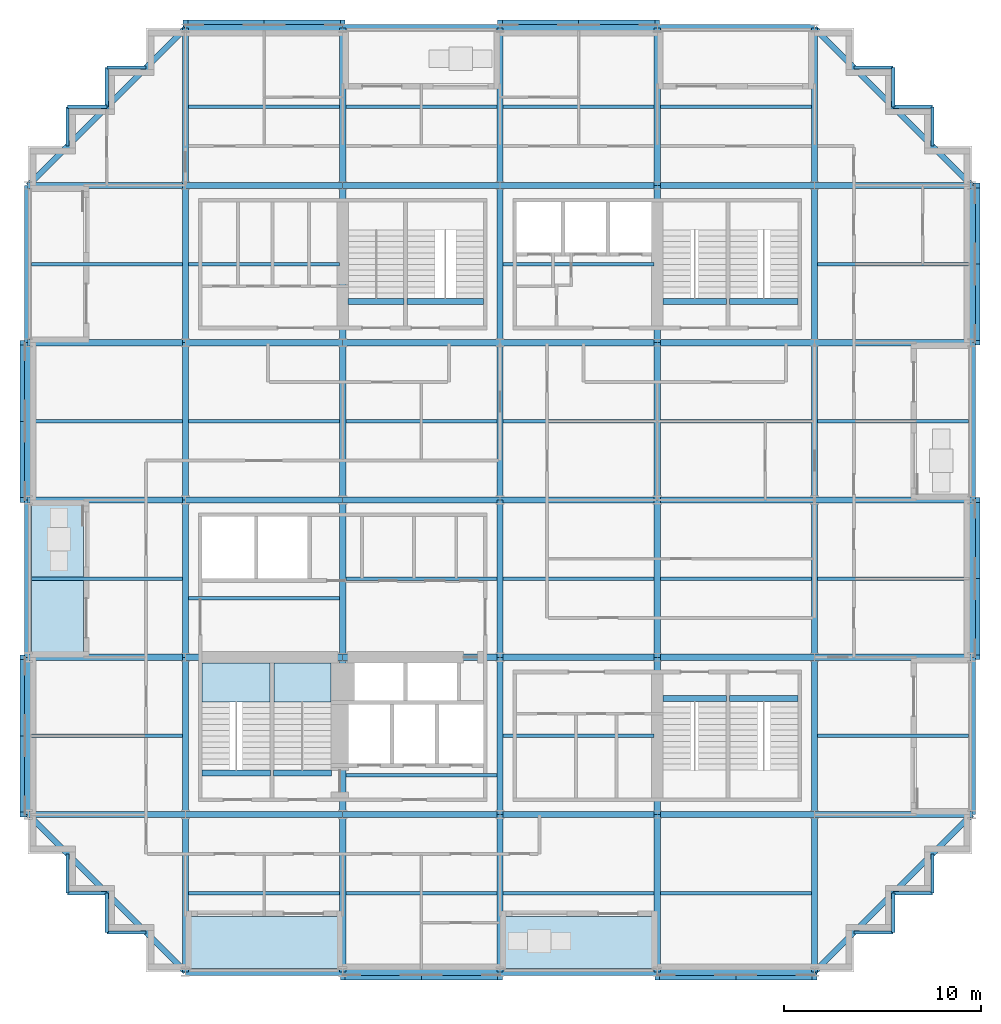
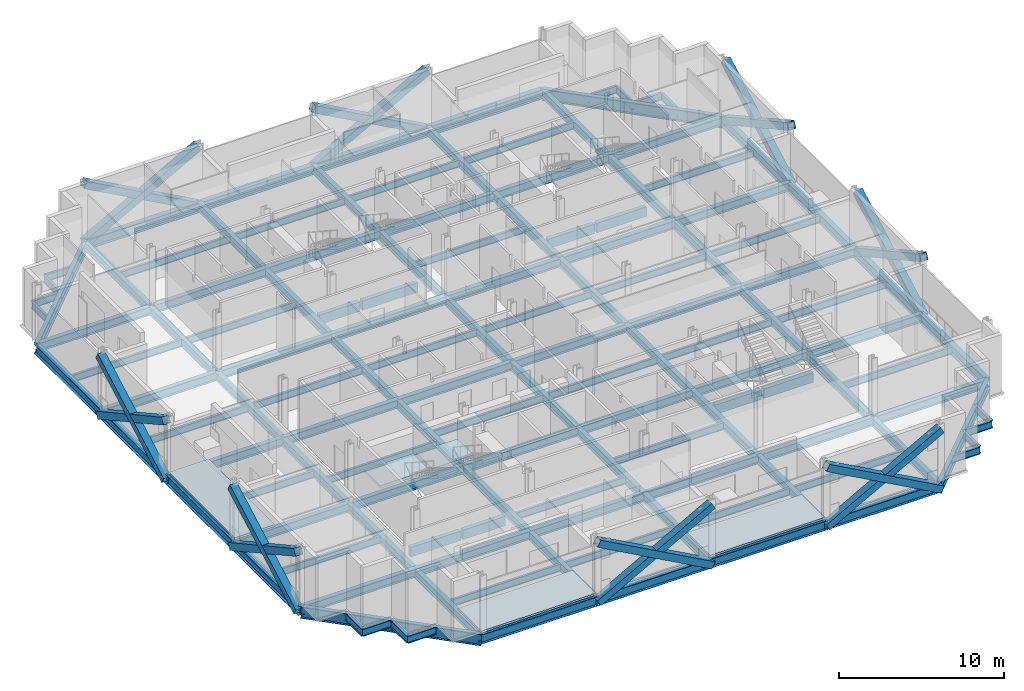
# One storey, part 3 of 15: 132 beams, 16 members, 5 slabs, 2 elements without a shape of their own.
"""IFC4 building model written with IfcOpenShell, lengths in metres."""

from ifc_helpers import new_model, si_unit, direction, frame, origin, origin_2d, place, context, subcontext, project, spatial, polyline, rectangle, hollow_rectangle, i_section, outline, extrude, material, layer, layer_set, material_profile, profile_set, type_object, element, aggregate, save


model = new_model("IFC4")

# Units and contexts
model_context = context("Model", 3, precision=1e-05, world=origin(), true_north=direction((0.0, 1.0)))
body_context = subcontext(model_context, "Body", "Model", "MODEL_VIEW")
ifc_project = project(units=[si_unit("LENGTHUNIT", "METRE"), si_unit("AREAUNIT", "SQUARE_METRE"), si_unit("VOLUMEUNIT", "CUBIC_METRE"), si_unit("PLANEANGLEUNIT", "RADIAN"), si_unit("MASSUNIT", "GRAM", prefix="KILO")], contexts=[model_context])

# Site, building, storey
site_placement = place(None, origin())
site = spatial("IfcSite", under=ifc_project, at=site_placement, CompositionType="ELEMENT")
building_placement = place(site_placement, origin())
building = spatial("IfcBuilding", under=site, at=building_placement, Name="Immortelle Media Tower", CompositionType="ELEMENT")
storey_placement = place(building_placement, frame((0.0, 0.0, 61.199951171875)))
storey = spatial("IfcBuildingStorey", under=building, at=storey_placement, Name="L10", CompositionType="ELEMENT", Elevation=61.199951171875)

# Members
ifc_material_1 = material(Name="Steel ASTM A500 Gr C", Category="steel")
ifc_material_profile_1 = material_profile(ifc_material_1, hollow_rectangle(XDim=0.508056640625, YDim=0.508056640625, WallThickness=0.011962890625, at=origin_2d()), Name="HSS20x20x1/2 brace")
ifc_profile_set_1 = profile_set([ifc_material_profile_1], Name="Steel ASTM A500 Gr C")
member_type = type_object("IfcMemberType", Name="HSS20x20x1/2 brace", PredefinedType="BRACE", material=ifc_profile_set_1)
for number, where, z_axis, x_axis, name in (
    (1, (-0.1640625, 32.0, -0.498046875), (0.0, -0.876141381581, 0.482054228776), (1.0, 0.0, 0.0), "Brace 1/D-E A"),
    (2, (-0.1640625, 32.0, 3.903564453125), (0.0, -0.876141381581, -0.482054228776), (1.0, 0.0, 0.0), "Brace 1/D-E B"),
    (3, (-0.1640625, 16.0, -0.498046875), (0.0, -0.876141381581, 0.482054228776), (1.0, 0.0, 0.0), "Brace 1/B-C A"),
    (4, (-0.1640625, 16.0, 3.903564453125), (0.0, -0.876141381581, -0.482054228776), (1.0, 0.0, 0.0), "Brace 1/B-C B"),
    (5, (16.0, -0.1640625, -0.498046875), (0.876141381581, 0.0, 0.482054228776), (0.0, 1.0, 0.0), "Brace A/3-4 A"),
    (6, (16.0, -0.1640625, 3.903564453125), (0.876141381581, 0.0, -0.482054228776), (0.0, 1.0, 0.0), "Brace A/3-4 B"),
    (7, (32.0, -0.1640625, -0.498046875), (0.876141381581, 0.0, 0.482054228776), (0.0, 1.0, 0.0), "Brace A/5-6 A"),
    (8, (32.0, -0.1640625, 3.903564453125), (0.876141381581, 0.0, -0.482054228776), (0.0, 1.0, 0.0), "Brace A/5-6 B"),
    (9, (48.1640625, 16.0, -0.498046875), (0.0, 0.876141381581, 0.482054228776), (-1.0, 0.0, 0.0), "Brace 7/C-D A"),
    (10, (48.1640625, 16.0, 3.903564453125), (0.0, 0.876141381581, -0.482054228776), (-1.0, 0.0, 0.0), "Brace 7/C-D B"),
    (11, (48.1640625, 32.0, -0.498046875), (0.0, 0.876141381581, 0.482054228776), (-1.0, 0.0, 0.0), "Brace 7/E-F A"),
    (12, (48.1640625, 32.0, 3.903564453125), (0.0, 0.876141381581, -0.482054228776), (-1.0, 0.0, 0.0), "Brace 7/E-F B"),
    (13, (32.0, 48.1640625, -0.498046875), (-0.876141381581, 0.0, 0.482054228776), (0.0, -1.0, 0.0), "Brace G/4-5 A"),
    (14, (32.0, 48.1640625, 3.903564453125), (-0.876141381581, 0.0, -0.482054228776), (0.0, -1.0, 0.0), "Brace G/4-5 B"),
    (15, (16.0, 48.1640625, -0.498046875), (-0.876141381581, 0.0, 0.482054228776), (0.0, -1.0, 0.0), "Brace G/2-3 A"),
    (16, (16.0, 48.1640625, 3.903564453125), (-0.876141381581, 0.0, -0.482054228776), (0.0, -1.0, 0.0), "Brace G/2-3 B"),
):
    element("IfcMember", number, at=place(storey_placement, frame(where, z_axis=z_axis, x_axis=x_axis)), inside=storey, type_object=member_type, Name=name, PredefinedType="BRACE", context=body_context, shape_type="SweptSolid", body=[
        extrude(hollow_rectangle(XDim=0.508056640625, YDim=0.508056640625, WallThickness=0.011962890625, at=origin_2d()), origin(), (0.0, 0.0, 1.0), 9.130859375),
    ])

# Beams
ifc_material_2 = material(Name="Concrete C50/60", Category="concrete")
ifc_material_profile_2 = material_profile(ifc_material_2, rectangle(XDim=0.300048828125, YDim=0.699951171875, at=origin_2d()), Name="RC 300x700")
ifc_profile_set_2 = profile_set([ifc_material_profile_2], Name="Concrete C50/60")
beam_type_1 = type_object("IfcBeamType", Name="Stair trimmer beam 300 x 700", PredefinedType="BEAM", material=ifc_profile_set_2)
beam_1_placement = place(storey_placement, frame((8.830078125, 10.10498046875, -0.5), z_axis=(1.0, 0.0, 0.0), x_axis=(0.0, 1.0, 0.0)))
element("IfcBeam", 17, at=beam_1_placement, inside=storey, type_object=beam_type_1, Name="Stair trimmer beam SW1", PredefinedType="BEAM", context=body_context, shape_type="SweptSolid", body=[
    extrude(rectangle(XDim=0.300048828125, YDim=0.699951171875, at=origin_2d()), origin(), (0.0, 0.0, 1.0), 3.489990234375),
])
beam_2_placement = place(storey_placement, frame((12.47998046875, 10.10498046875, -0.5), z_axis=(1.0, 0.0, 0.0), x_axis=(0.0, 1.0, 0.0)))
element("IfcBeam", 18, at=beam_2_placement, inside=storey, type_object=beam_type_1, Name="Stair trimmer beam SW2", PredefinedType="BEAM", context=body_context, shape_type="SweptSolid", body=[
    extrude(rectangle(XDim=0.300048828125, YDim=0.699951171875, at=origin_2d()), origin(), (0.0, 0.0, 1.0), 2.93994140625),
])
beam_3_placement = place(storey_placement, frame((32.280029296875, 13.89501953125, -0.5), z_axis=(1.0, 0.0, 0.0), x_axis=(0.0, 1.0, 0.0)))
element("IfcBeam", 19, at=beam_3_placement, inside=storey, type_object=beam_type_1, Name="Stair trimmer beam SE1", PredefinedType="BEAM", context=body_context, shape_type="SweptSolid", body=[
    extrude(rectangle(XDim=0.300048828125, YDim=0.699951171875, at=origin_2d()), origin(), (0.0, 0.0, 1.0), 3.239990234375),
])
beam_4_placement = place(storey_placement, frame((35.679931640625, 13.89501953125, -0.5), z_axis=(1.0, 0.0, 0.0), x_axis=(0.0, 1.0, 0.0)))
element("IfcBeam", 20, at=beam_4_placement, inside=storey, type_object=beam_type_1, Name="Stair trimmer beam SE2", PredefinedType="BEAM", context=body_context, shape_type="SweptSolid", body=[
    extrude(rectangle(XDim=0.300048828125, YDim=0.699951171875, at=origin_2d()), origin(), (0.0, 0.0, 1.0), 3.489990234375),
])
beam_5_placement = place(storey_placement, frame((16.280029296875, 34.10498046875, -0.5), z_axis=(1.0, 0.0, 0.0), x_axis=(0.0, 1.0, 0.0)))
element("IfcBeam", 21, at=beam_5_placement, inside=storey, type_object=beam_type_1, Name="Stair trimmer beam NW1", PredefinedType="BEAM", context=body_context, shape_type="SweptSolid", body=[
    extrude(rectangle(XDim=0.300048828125, YDim=0.699951171875, at=origin_2d()), origin(), (0.0, 0.0, 1.0), 2.840087890625),
])
beam_6_placement = place(storey_placement, frame((19.280029296875, 34.10498046875, -0.5), z_axis=(1.0, 0.0, 0.0), x_axis=(0.0, 1.0, 0.0)))
element("IfcBeam", 22, at=beam_6_placement, inside=storey, type_object=beam_type_1, Name="Stair trimmer beam NW2", PredefinedType="BEAM", context=body_context, shape_type="SweptSolid", body=[
    extrude(rectangle(XDim=0.300048828125, YDim=0.699951171875, at=origin_2d()), origin(), (0.0, 0.0, 1.0), 3.889892578125),
])
beam_7_placement = place(storey_placement, frame((32.280029296875, 34.10498046875, -0.5), z_axis=(1.0, 0.0, 0.0), x_axis=(0.0, 1.0, 0.0)))
element("IfcBeam", 23, at=beam_7_placement, inside=storey, type_object=beam_type_1, Name="Stair trimmer beam NE1", PredefinedType="BEAM", context=body_context, shape_type="SweptSolid", body=[
    extrude(rectangle(XDim=0.300048828125, YDim=0.699951171875, at=origin_2d()), origin(), (0.0, 0.0, 1.0), 3.239990234375),
])
beam_8_placement = place(storey_placement, frame((35.679931640625, 34.10498046875, -0.5), z_axis=(1.0, 0.0, 0.0), x_axis=(0.0, 1.0, 0.0)))
element("IfcBeam", 24, at=beam_8_placement, inside=storey, type_object=beam_type_1, Name="Stair trimmer beam NE2", PredefinedType="BEAM", context=body_context, shape_type="SweptSolid", body=[
    extrude(rectangle(XDim=0.300048828125, YDim=0.699951171875, at=origin_2d()), origin(), (0.0, 0.0, 1.0), 3.489990234375),
])
ifc_material_3 = material(Name="Steel ASTM A992 Gr 50", Category="steel")
ifc_material_profile_3 = material_profile(ifc_material_3, i_section(OverallWidth=0.1669921875, OverallDepth=0.535888671875, WebThickness=0.010009765625, FlangeThickness=0.01708984375, at=origin_2d()), Name="W21x57")
ifc_profile_set_3 = profile_set([ifc_material_profile_3], Name="Steel ASTM A992 Gr 50")
beam_type_2 = type_object("IfcBeamType", Name="W21x57 secondary beam", PredefinedType="JOIST", material=ifc_profile_set_3)
for number, where, z_axis, x_axis, name in (
    (25, (8.162109375, 4.0, -0.41796875), (1.0, 0.0, 0.0), (0.0, 1.0, 0.0), "Beam A-B/2-3"),
    (26, (16.162109375, 4.0, -0.41796875), (1.0, 0.0, 0.0), (0.0, 1.0, 0.0), "Beam A-B/3-4"),
    (27, (24.162109375, 4.0, -0.41796875), (1.0, 0.0, 0.0), (0.0, 1.0, 0.0), "Beam A-B/4-5"),
    (28, (32.162109375, 4.0, -0.41796875), (1.0, 0.0, 0.0), (0.0, 1.0, 0.0), "Beam A-B/5-6"),
):
    element("IfcBeam", number, at=place(storey_placement, frame(where, z_axis=z_axis, x_axis=x_axis)), inside=storey, type_object=beam_type_2, Name=name, PredefinedType="JOIST", context=body_context, shape_type="SweptSolid", body=[
        extrude(i_section(OverallWidth=0.1669921875, OverallDepth=0.535888671875, WebThickness=0.010009765625, FlangeThickness=0.01708984375, at=origin_2d()), origin(), (0.0, 0.0, 1.0), 7.67578125),
    ])
beam_9_placement = place(storey_placement, frame((0.177978515625, 12.0, -0.41796875), z_axis=(1.0, 0.0, 0.0), x_axis=(0.0, 1.0, 0.0)))
element("IfcBeam", 29, at=beam_9_placement, inside=storey, type_object=beam_type_2, Name="Beam B-C/1-2", PredefinedType="JOIST", context=body_context, shape_type="SweptSolid", body=[
    extrude(i_section(OverallWidth=0.1669921875, OverallDepth=0.535888671875, WebThickness=0.010009765625, FlangeThickness=0.01708984375, at=origin_2d()), origin(), (0.0, 0.0, 1.0), 7.659912109375),
])
for number, where, z_axis, x_axis, name in (
    (30, (16.162109375, 10.0, -0.41796875), (1.0, 0.0, 0.0), (0.0, 1.0, 0.0), "Beam B-C/3-4"),
    (31, (24.162109375, 12.0, -0.41796875), (1.0, 0.0, 0.0), (0.0, 1.0, 0.0), "Beam B-C/4-5"),
):
    element("IfcBeam", number, at=place(storey_placement, frame(where, z_axis=z_axis, x_axis=x_axis)), inside=storey, type_object=beam_type_2, Name=name, PredefinedType="JOIST", context=body_context, shape_type="SweptSolid", body=[
        extrude(i_section(OverallWidth=0.1669921875, OverallDepth=0.535888671875, WebThickness=0.010009765625, FlangeThickness=0.01708984375, at=origin_2d()), origin(), (0.0, 0.0, 1.0), 7.67578125),
    ])
for number, where, z_axis, x_axis, name in (
    (32, (40.162109375, 12.0, -0.41796875), (1.0, 0.0, 0.0), (0.0, 1.0, 0.0), "Beam B-C/6-7"),
    (33, (0.177978515625, 20.0, -0.41796875), (1.0, 0.0, 0.0), (0.0, 1.0, 0.0), "Beam C-D/1-2"),
):
    element("IfcBeam", number, at=place(storey_placement, frame(where, z_axis=z_axis, x_axis=x_axis)), inside=storey, type_object=beam_type_2, Name=name, PredefinedType="JOIST", context=body_context, shape_type="SweptSolid", body=[
        extrude(i_section(OverallWidth=0.1669921875, OverallDepth=0.535888671875, WebThickness=0.010009765625, FlangeThickness=0.01708984375, at=origin_2d()), origin(), (0.0, 0.0, 1.0), 7.659912109375),
    ])
for number, where, z_axis, x_axis, name in (
    (34, (8.162109375, 19.0, -0.41796875), (1.0, 0.0, 0.0), (0.0, 1.0, 0.0), "Beam C-D/2-3"),
    (35, (16.162109375, 20.0, -0.41796875), (1.0, 0.0, 0.0), (0.0, 1.0, 0.0), "Beam C-D/3-4"),
    (36, (24.162109375, 20.0, -0.41796875), (1.0, 0.0, 0.0), (0.0, 1.0, 0.0), "Beam C-D/4-5"),
    (37, (32.162109375, 20.0, -0.41796875), (1.0, 0.0, 0.0), (0.0, 1.0, 0.0), "Beam C-D/5-6"),
):
    element("IfcBeam", number, at=place(storey_placement, frame(where, z_axis=z_axis, x_axis=x_axis)), inside=storey, type_object=beam_type_2, Name=name, PredefinedType="JOIST", context=body_context, shape_type="SweptSolid", body=[
        extrude(i_section(OverallWidth=0.1669921875, OverallDepth=0.535888671875, WebThickness=0.010009765625, FlangeThickness=0.01708984375, at=origin_2d()), origin(), (0.0, 0.0, 1.0), 7.67578125),
    ])
for number, where, z_axis, x_axis, name in (
    (38, (40.162109375, 20.0, -0.41796875), (1.0, 0.0, 0.0), (0.0, 1.0, 0.0), "Beam C-D/6-7"),
    (39, (0.177978515625, 28.0, -0.41796875), (1.0, 0.0, 0.0), (0.0, 1.0, 0.0), "Beam D-E/1-2"),
):
    element("IfcBeam", number, at=place(storey_placement, frame(where, z_axis=z_axis, x_axis=x_axis)), inside=storey, type_object=beam_type_2, Name=name, PredefinedType="JOIST", context=body_context, shape_type="SweptSolid", body=[
        extrude(i_section(OverallWidth=0.1669921875, OverallDepth=0.535888671875, WebThickness=0.010009765625, FlangeThickness=0.01708984375, at=origin_2d()), origin(), (0.0, 0.0, 1.0), 7.659912109375),
    ])
for number, where, z_axis, x_axis, name in (
    (40, (8.162109375, 28.0, -0.41796875), (1.0, 0.0, 0.0), (0.0, 1.0, 0.0), "Beam D-E/2-3"),
    (41, (16.162109375, 28.0, -0.41796875), (1.0, 0.0, 0.0), (0.0, 1.0, 0.0), "Beam D-E/3-4"),
    (42, (24.162109375, 28.0, -0.41796875), (1.0, 0.0, 0.0), (0.0, 1.0, 0.0), "Beam D-E/4-5"),
    (43, (32.162109375, 28.0, -0.41796875), (1.0, 0.0, 0.0), (0.0, 1.0, 0.0), "Beam D-E/5-6"),
):
    element("IfcBeam", number, at=place(storey_placement, frame(where, z_axis=z_axis, x_axis=x_axis)), inside=storey, type_object=beam_type_2, Name=name, PredefinedType="JOIST", context=body_context, shape_type="SweptSolid", body=[
        extrude(i_section(OverallWidth=0.1669921875, OverallDepth=0.535888671875, WebThickness=0.010009765625, FlangeThickness=0.01708984375, at=origin_2d()), origin(), (0.0, 0.0, 1.0), 7.67578125),
    ])
for number, where, z_axis, x_axis, name in (
    (44, (40.162109375, 28.0, -0.41796875), (1.0, 0.0, 0.0), (0.0, 1.0, 0.0), "Beam D-E/6-7"),
    (45, (0.177978515625, 36.0, -0.41796875), (1.0, 0.0, 0.0), (0.0, 1.0, 0.0), "Beam E-F/1-2"),
):
    element("IfcBeam", number, at=place(storey_placement, frame(where, z_axis=z_axis, x_axis=x_axis)), inside=storey, type_object=beam_type_2, Name=name, PredefinedType="JOIST", context=body_context, shape_type="SweptSolid", body=[
        extrude(i_section(OverallWidth=0.1669921875, OverallDepth=0.535888671875, WebThickness=0.010009765625, FlangeThickness=0.01708984375, at=origin_2d()), origin(), (0.0, 0.0, 1.0), 7.659912109375),
    ])
for number, where, z_axis, x_axis, name in (
    (46, (8.162109375, 36.0, -0.41796875), (1.0, 0.0, 0.0), (0.0, 1.0, 0.0), "Beam E-F/2-3"),
    (47, (24.162109375, 36.0, -0.41796875), (1.0, 0.0, 0.0), (0.0, 1.0, 0.0), "Beam E-F/4-5"),
):
    element("IfcBeam", number, at=place(storey_placement, frame(where, z_axis=z_axis, x_axis=x_axis)), inside=storey, type_object=beam_type_2, Name=name, PredefinedType="JOIST", context=body_context, shape_type="SweptSolid", body=[
        extrude(i_section(OverallWidth=0.1669921875, OverallDepth=0.535888671875, WebThickness=0.010009765625, FlangeThickness=0.01708984375, at=origin_2d()), origin(), (0.0, 0.0, 1.0), 7.67578125),
    ])
beam_10_placement = place(storey_placement, frame((40.162109375, 36.0, -0.41796875), z_axis=(1.0, 0.0, 0.0), x_axis=(0.0, 1.0, 0.0)))
element("IfcBeam", 48, at=beam_10_placement, inside=storey, type_object=beam_type_2, Name="Beam E-F/6-7", PredefinedType="JOIST", context=body_context, shape_type="SweptSolid", body=[
    extrude(i_section(OverallWidth=0.1669921875, OverallDepth=0.535888671875, WebThickness=0.010009765625, FlangeThickness=0.01708984375, at=origin_2d()), origin(), (0.0, 0.0, 1.0), 7.659912109375),
])
for number, where, z_axis, x_axis, name in (
    (49, (8.162109375, 44.0, -0.41796875), (1.0, 0.0, 0.0), (0.0, 1.0, 0.0), "Beam F-G/2-3"),
    (50, (16.162109375, 44.0, -0.41796875), (1.0, 0.0, 0.0), (0.0, 1.0, 0.0), "Beam F-G/3-4"),
    (51, (24.162109375, 44.0, -0.41796875), (1.0, 0.0, 0.0), (0.0, 1.0, 0.0), "Beam F-G/4-5"),
    (52, (32.162109375, 44.0, -0.41796875), (1.0, 0.0, 0.0), (0.0, 1.0, 0.0), "Beam F-G/5-6"),
):
    element("IfcBeam", number, at=place(storey_placement, frame(where, z_axis=z_axis, x_axis=x_axis)), inside=storey, type_object=beam_type_2, Name=name, PredefinedType="JOIST", context=body_context, shape_type="SweptSolid", body=[
        extrude(i_section(OverallWidth=0.1669921875, OverallDepth=0.535888671875, WebThickness=0.010009765625, FlangeThickness=0.01708984375, at=origin_2d()), origin(), (0.0, 0.0, 1.0), 7.67578125),
    ])
ifc_material_profile_4 = material_profile(ifc_material_3, i_section(OverallWidth=0.1669921875, OverallDepth=0.535888671875, WebThickness=0.010009765625, FlangeThickness=0.01708984375, at=origin_2d()), Name="W21x57")
ifc_profile_set_4 = profile_set([ifc_material_profile_4], Name="Steel ASTM A992 Gr 50")
beam_type_3 = type_object("IfcBeamType", Name="W21x57 serration edge beam", PredefinedType="SPANDREL", material=ifc_profile_set_4)
for number, where, z_axis, x_axis, name in (
    (53, (6.0, 2.0, -0.41796875), (-1.0, 0.0, 0.0), (0.0, -1.0, 0.0), "Corner edge beam 1 at 1/A"),
    (54, (4.0, 2.0, -0.41796875), (0.0, 1.0, 0.0), (-1.0, 0.0, 0.0), "Corner edge beam 2 at 1/A"),
    (55, (4.0, 4.0, -0.41796875), (-1.0, 0.0, 0.0), (0.0, -1.0, 0.0), "Corner edge beam 3 at 1/A"),
    (56, (2.0, 4.0, -0.41796875), (0.0, 1.0, 0.0), (-1.0, 0.0, 0.0), "Corner edge beam 4 at 1/A"),
    (57, (2.0, 42.0, -0.41796875), (0.0, 1.0, 0.0), (-1.0, 0.0, 0.0), "Corner edge beam 1 at 1/G"),
    (58, (2.0, 44.0, -0.41796875), (1.0, 0.0, 0.0), (0.0, 1.0, 0.0), "Corner edge beam 2 at 1/G"),
    (59, (4.0, 44.0, -0.41796875), (0.0, 1.0, 0.0), (-1.0, 0.0, 0.0), "Corner edge beam 3 at 1/G"),
    (60, (4.0, 46.0, -0.41796875), (1.0, 0.0, 0.0), (0.0, 1.0, 0.0), "Corner edge beam 4 at 1/G"),
    (61, (46.0, 6.0, -0.41796875), (0.0, -1.0, 0.0), (1.0, 0.0, 0.0), "Corner edge beam 1 at 7/A"),
    (62, (46.0, 4.0, -0.41796875), (-1.0, 0.0, 0.0), (0.0, -1.0, 0.0), "Corner edge beam 2 at 7/A"),
    (63, (44.0, 4.0, -0.41796875), (0.0, -1.0, 0.0), (1.0, 0.0, 0.0), "Corner edge beam 3 at 7/A"),
    (64, (44.0, 2.0, -0.41796875), (-1.0, 0.0, 0.0), (0.0, -1.0, 0.0), "Corner edge beam 4 at 7/A"),
    (65, (42.0, 46.0, -0.41796875), (1.0, 0.0, 0.0), (0.0, 1.0, 0.0), "Corner edge beam 1 at 7/G"),
    (66, (44.0, 46.0, -0.41796875), (0.0, -1.0, 0.0), (1.0, 0.0, 0.0), "Corner edge beam 2 at 7/G"),
    (67, (44.0, 44.0, -0.41796875), (1.0, 0.0, 0.0), (0.0, 1.0, 0.0), "Corner edge beam 3 at 7/G"),
    (68, (46.0, 44.0, -0.41796875), (0.0, -1.0, 0.0), (1.0, 0.0, 0.0), "Corner edge beam 4 at 7/G"),
):
    element("IfcBeam", number, at=place(storey_placement, frame(where, z_axis=z_axis, x_axis=x_axis)), inside=storey, type_object=beam_type_3, Name=name, PredefinedType="SPANDREL", context=body_context, shape_type="SweptSolid", body=[
        extrude(i_section(OverallWidth=0.1669921875, OverallDepth=0.535888671875, WebThickness=0.010009765625, FlangeThickness=0.01708984375, at=origin_2d()), origin(), (0.0, 0.0, 1.0), 2.0),
    ])
ifc_material_profile_5 = material_profile(ifc_material_3, i_section(OverallWidth=0.323974609375, OverallDepth=0.612060546875, WebThickness=0.012939453125, FlangeThickness=0.01904296875, at=origin_2d()), Name="W24x104")
ifc_profile_set_5 = profile_set([ifc_material_profile_5], Name="Steel ASTM A992 Gr 50")
beam_type_4 = type_object("IfcBeamType", Name="W24x104 girder", PredefinedType="BEAM", material=ifc_profile_set_5)
for number, where, z_axis, x_axis, name in (
    (69, (0.0, 8.0, -0.4560546875), (1.0, 0.0, 0.0), (0.0, 1.0, 0.0), "Girder B/1-2"),
    (70, (0.0, 16.0, -0.4560546875), (1.0, 0.0, 0.0), (0.0, 1.0, 0.0), "Girder C/1-2"),
    (71, (0.0, 24.0, -0.4560546875), (1.0, 0.0, 0.0), (0.0, 1.0, 0.0), "Girder D/1-2"),
    (72, (0.0, 32.0, -0.4560546875), (1.0, 0.0, 0.0), (0.0, 1.0, 0.0), "Girder E/1-2"),
    (73, (0.0, 40.0, -0.4560546875), (1.0, 0.0, 0.0), (0.0, 1.0, 0.0), "Girder F/1-2"),
    (74, (8.0, 0.0, -0.4560546875), (0.0, 1.0, 0.0), (-1.0, 0.0, 0.0), "Girder 2/A-B"),
    (75, (8.0, 8.0, -0.4560546875), (1.0, 0.0, 0.0), (0.0, 1.0, 0.0), "Girder B/2-3"),
    (76, (8.0, 8.0, -0.4560546875), (0.0, 1.0, 0.0), (-1.0, 0.0, 0.0), "Girder 2/B-C"),
    (77, (8.0, 16.0, -0.4560546875), (1.0, 0.0, 0.0), (0.0, 1.0, 0.0), "Girder C/2-3"),
    (78, (8.0, 16.0, -0.4560546875), (0.0, 1.0, 0.0), (-1.0, 0.0, 0.0), "Girder 2/C-D"),
    (79, (8.0, 24.0, -0.4560546875), (1.0, 0.0, 0.0), (0.0, 1.0, 0.0), "Girder D/2-3"),
    (80, (8.0, 24.0, -0.4560546875), (0.0, 1.0, 0.0), (-1.0, 0.0, 0.0), "Girder 2/D-E"),
    (81, (8.0, 32.0, -0.4560546875), (1.0, 0.0, 0.0), (0.0, 1.0, 0.0), "Girder E/2-3"),
    (82, (8.0, 32.0, -0.4560546875), (0.0, 1.0, 0.0), (-1.0, 0.0, 0.0), "Girder 2/E-F"),
    (83, (8.0, 40.0, -0.4560546875), (1.0, 0.0, 0.0), (0.0, 1.0, 0.0), "Girder F/2-3"),
    (84, (8.0, 40.0, -0.4560546875), (0.0, 1.0, 0.0), (-1.0, 0.0, 0.0), "Girder 2/F-G"),
    (85, (16.0, 0.0, -0.4560546875), (0.0, 1.0, 0.0), (-1.0, 0.0, 0.0), "Girder 3/A-B"),
    (86, (16.0, 8.0, -0.4560546875), (1.0, 0.0, 0.0), (0.0, 1.0, 0.0), "Girder B/3-4"),
    (87, (16.0, 8.0, -0.4560546875), (0.0, 1.0, 0.0), (-1.0, 0.0, 0.0), "Girder 3/B-C"),
    (88, (16.0, 16.0, -0.4560546875), (1.0, 0.0, 0.0), (0.0, 1.0, 0.0), "Girder C/3-4"),
    (89, (16.0, 16.0, -0.4560546875), (0.0, 1.0, 0.0), (-1.0, 0.0, 0.0), "Girder 3/C-D"),
    (90, (16.0, 24.0, -0.4560546875), (1.0, 0.0, 0.0), (0.0, 1.0, 0.0), "Girder D/3-4"),
    (91, (16.0, 24.0, -0.4560546875), (0.0, 1.0, 0.0), (-1.0, 0.0, 0.0), "Girder 3/D-E"),
    (92, (16.0, 32.0, -0.4560546875), (1.0, 0.0, 0.0), (0.0, 1.0, 0.0), "Girder E/3-4"),
    (93, (16.0, 32.0, -0.4560546875), (0.0, 1.0, 0.0), (-1.0, 0.0, 0.0), "Girder 3/E-F"),
    (94, (16.0, 40.0, -0.4560546875), (1.0, 0.0, 0.0), (0.0, 1.0, 0.0), "Girder F/3-4"),
    (95, (16.0, 40.0, -0.4560546875), (0.0, 1.0, 0.0), (-1.0, 0.0, 0.0), "Girder 3/F-G"),
    (96, (24.0, 0.0, -0.4560546875), (0.0, 1.0, 0.0), (-1.0, 0.0, 0.0), "Girder 4/A-B"),
    (97, (24.0, 8.0, -0.4560546875), (1.0, 0.0, 0.0), (0.0, 1.0, 0.0), "Girder B/4-5"),
    (98, (24.0, 8.0, -0.4560546875), (0.0, 1.0, 0.0), (-1.0, 0.0, 0.0), "Girder 4/B-C"),
    (99, (24.0, 16.0, -0.4560546875), (1.0, 0.0, 0.0), (0.0, 1.0, 0.0), "Girder C/4-5"),
    (100, (24.0, 16.0, -0.4560546875), (0.0, 1.0, 0.0), (-1.0, 0.0, 0.0), "Girder 4/C-D"),
    (101, (24.0, 24.0, -0.4560546875), (1.0, 0.0, 0.0), (0.0, 1.0, 0.0), "Girder D/4-5"),
    (102, (24.0, 24.0, -0.4560546875), (0.0, 1.0, 0.0), (-1.0, 0.0, 0.0), "Girder 4/D-E"),
    (103, (24.0, 32.0, -0.4560546875), (1.0, 0.0, 0.0), (0.0, 1.0, 0.0), "Girder E/4-5"),
    (104, (24.0, 32.0, -0.4560546875), (0.0, 1.0, 0.0), (-1.0, 0.0, 0.0), "Girder 4/E-F"),
    (105, (24.0, 40.0, -0.4560546875), (1.0, 0.0, 0.0), (0.0, 1.0, 0.0), "Girder F/4-5"),
    (106, (24.0, 40.0, -0.4560546875), (0.0, 1.0, 0.0), (-1.0, 0.0, 0.0), "Girder 4/F-G"),
    (107, (32.0, 0.0, -0.4560546875), (0.0, 1.0, 0.0), (-1.0, 0.0, 0.0), "Girder 5/A-B"),
    (108, (32.0, 8.0, -0.4560546875), (1.0, 0.0, 0.0), (0.0, 1.0, 0.0), "Girder B/5-6"),
    (109, (32.0, 8.0, -0.4560546875), (0.0, 1.0, 0.0), (-1.0, 0.0, 0.0), "Girder 5/B-C"),
    (110, (32.0, 16.0, -0.4560546875), (1.0, 0.0, 0.0), (0.0, 1.0, 0.0), "Girder C/5-6"),
    (111, (32.0, 16.0, -0.4560546875), (0.0, 1.0, 0.0), (-1.0, 0.0, 0.0), "Girder 5/C-D"),
    (112, (32.0, 24.0, -0.4560546875), (1.0, 0.0, 0.0), (0.0, 1.0, 0.0), "Girder D/5-6"),
    (113, (32.0, 24.0, -0.4560546875), (0.0, 1.0, 0.0), (-1.0, 0.0, 0.0), "Girder 5/D-E"),
    (114, (32.0, 32.0, -0.4560546875), (1.0, 0.0, 0.0), (0.0, 1.0, 0.0), "Girder E/5-6"),
    (115, (32.0, 32.0, -0.4560546875), (0.0, 1.0, 0.0), (-1.0, 0.0, 0.0), "Girder 5/E-F"),
    (116, (32.0, 40.0, -0.4560546875), (1.0, 0.0, 0.0), (0.0, 1.0, 0.0), "Girder F/5-6"),
    (117, (32.0, 40.0, -0.4560546875), (0.0, 1.0, 0.0), (-1.0, 0.0, 0.0), "Girder 5/F-G"),
    (118, (40.0, 0.0, -0.4560546875), (0.0, 1.0, 0.0), (-1.0, 0.0, 0.0), "Girder 6/A-B"),
    (119, (40.0, 8.0, -0.4560546875), (1.0, 0.0, 0.0), (0.0, 1.0, 0.0), "Girder B/6-7"),
    (120, (40.0, 8.0, -0.4560546875), (0.0, 1.0, 0.0), (-1.0, 0.0, 0.0), "Girder 6/B-C"),
    (121, (40.0, 16.0, -0.4560546875), (1.0, 0.0, 0.0), (0.0, 1.0, 0.0), "Girder C/6-7"),
    (122, (40.0, 16.0, -0.4560546875), (0.0, 1.0, 0.0), (-1.0, 0.0, 0.0), "Girder 6/C-D"),
    (123, (40.0, 24.0, -0.4560546875), (1.0, 0.0, 0.0), (0.0, 1.0, 0.0), "Girder D/6-7"),
    (124, (40.0, 24.0, -0.4560546875), (0.0, 1.0, 0.0), (-1.0, 0.0, 0.0), "Girder 6/D-E"),
    (125, (40.0, 32.0, -0.4560546875), (1.0, 0.0, 0.0), (0.0, 1.0, 0.0), "Girder E/6-7"),
    (126, (40.0, 32.0, -0.4560546875), (0.0, 1.0, 0.0), (-1.0, 0.0, 0.0), "Girder 6/E-F"),
    (127, (40.0, 40.0, -0.4560546875), (1.0, 0.0, 0.0), (0.0, 1.0, 0.0), "Girder F/6-7"),
    (128, (40.0, 40.0, -0.4560546875), (0.0, 1.0, 0.0), (-1.0, 0.0, 0.0), "Girder 6/F-G"),
):
    element("IfcBeam", number, at=place(storey_placement, frame(where, z_axis=z_axis, x_axis=x_axis)), inside=storey, type_object=beam_type_4, Name=name, PredefinedType="BEAM", context=body_context, shape_type="SweptSolid", body=[
        extrude(i_section(OverallWidth=0.323974609375, OverallDepth=0.612060546875, WebThickness=0.012939453125, FlangeThickness=0.01904296875, at=origin_2d()), origin(), (0.0, 0.0, 1.0), 8.0),
    ])
ifc_material_profile_6 = material_profile(ifc_material_3, i_section(OverallWidth=0.35595703125, OverallDepth=0.696044921875, WebThickness=0.014892578125, FlangeThickness=0.02490234375, at=origin_2d()), Name="W27x146")
ifc_profile_set_6 = profile_set([ifc_material_profile_6], Name="Steel ASTM A992 Gr 50")
beam_type_5 = type_object("IfcBeamType", Name="W27x146 perimeter girder", PredefinedType="SPANDREL", material=ifc_profile_set_6)
for number, where, z_axis, x_axis, name in (
    (129, (0.0, 8.0, -0.498046875), (0.0, 1.0, 0.0), (-1.0, 0.0, 0.0), "Girder 1/B-C"),
    (130, (0.0, 16.0, -0.498046875), (0.0, 1.0, 0.0), (-1.0, 0.0, 0.0), "Girder 1/C-D"),
    (131, (0.0, 24.0, -0.498046875), (0.0, 1.0, 0.0), (-1.0, 0.0, 0.0), "Girder 1/D-E"),
    (132, (0.0, 32.0, -0.498046875), (0.0, 1.0, 0.0), (-1.0, 0.0, 0.0), "Girder 1/E-F"),
    (133, (8.0, 0.0, -0.498046875), (1.0, 0.0, 0.0), (0.0, 1.0, 0.0), "Girder A/2-3"),
    (134, (8.0, 48.0, -0.498046875), (1.0, 0.0, 0.0), (0.0, 1.0, 0.0), "Girder G/2-3"),
    (135, (16.0, 0.0, -0.498046875), (1.0, 0.0, 0.0), (0.0, 1.0, 0.0), "Girder A/3-4"),
    (136, (16.0, 48.0, -0.498046875), (1.0, 0.0, 0.0), (0.0, 1.0, 0.0), "Girder G/3-4"),
    (137, (24.0, 0.0, -0.498046875), (1.0, 0.0, 0.0), (0.0, 1.0, 0.0), "Girder A/4-5"),
    (138, (24.0, 48.0, -0.498046875), (1.0, 0.0, 0.0), (0.0, 1.0, 0.0), "Girder G/4-5"),
    (139, (32.0, 0.0, -0.498046875), (1.0, 0.0, 0.0), (0.0, 1.0, 0.0), "Girder A/5-6"),
    (140, (32.0, 48.0, -0.498046875), (1.0, 0.0, 0.0), (0.0, 1.0, 0.0), "Girder G/5-6"),
    (141, (48.0, 8.0, -0.498046875), (0.0, 1.0, 0.0), (-1.0, 0.0, 0.0), "Girder 7/B-C"),
    (142, (48.0, 16.0, -0.498046875), (0.0, 1.0, 0.0), (-1.0, 0.0, 0.0), "Girder 7/C-D"),
    (143, (48.0, 24.0, -0.498046875), (0.0, 1.0, 0.0), (-1.0, 0.0, 0.0), "Girder 7/D-E"),
    (144, (48.0, 32.0, -0.498046875), (0.0, 1.0, 0.0), (-1.0, 0.0, 0.0), "Girder 7/E-F"),
):
    element("IfcBeam", number, at=place(storey_placement, frame(where, z_axis=z_axis, x_axis=x_axis)), inside=storey, type_object=beam_type_5, Name=name, PredefinedType="SPANDREL", context=body_context, shape_type="SweptSolid", body=[
        extrude(i_section(OverallWidth=0.35595703125, OverallDepth=0.696044921875, WebThickness=0.014892578125, FlangeThickness=0.02490234375, at=origin_2d()), origin(), (0.0, 0.0, 1.0), 8.0),
    ])
ifc_material_profile_7 = material_profile(ifc_material_3, i_section(OverallWidth=0.2919921875, OverallDepth=0.85888671875, WebThickness=0.01708984375, FlangeThickness=0.031005859375, at=origin_2d()), Name="W33x169")
ifc_profile_set_7 = profile_set([ifc_material_profile_7], Name="Steel ASTM A992 Gr 50")
beam_type_6 = type_object("IfcBeamType", Name="W33x169 corner girder", PredefinedType="SPANDREL", material=ifc_profile_set_7)
for number, where, z_axis, x_axis, name in (
    (145, (8.0, 0.0, -0.579345703125), (-0.707106781187, 0.707106781187, 0.0), (-0.707106781187, -0.707106781187, 0.0), "Corner girder at 1/A"),
    (146, (0.0, 40.0, -0.579345703125), (0.707106781187, 0.707106781187, 0.0), (-0.707106781187, 0.707106781187, 0.0), "Corner girder at 1/G"),
    (147, (48.0, 8.0, -0.579345703125), (-0.707106781187, -0.707106781187, 0.0), (0.707106781187, -0.707106781187, 0.0), "Corner girder at 7/A"),
    (148, (40.0, 48.0, -0.579345703125), (0.707106781187, -0.707106781187, 0.0), (0.707106781187, 0.707106781187, 0.0), "Corner girder at 7/G"),
):
    element("IfcBeam", number, at=place(storey_placement, frame(where, z_axis=z_axis, x_axis=x_axis)), inside=storey, type_object=beam_type_6, Name=name, PredefinedType="SPANDREL", context=body_context, shape_type="SweptSolid", body=[
        extrude(i_section(OverallWidth=0.2919921875, OverallDepth=0.85888671875, WebThickness=0.01708984375, FlangeThickness=0.031005859375, at=origin_2d()), origin(), (0.0, 0.0, 1.0), 11.313720703125),
    ])

# Slabs
ifc_material_4 = material(Name="Concrete C50/60 composite deck", Category="concrete")
ifc_layer_1 = layer(ifc_material_4, 0.14990234375)
ifc_layer_set_1 = layer_set([ifc_layer_1], Name="Concrete C50/60 composite deck")
slab_type_1 = type_object("IfcSlabType", Name="Balcony slab 150", PredefinedType="FLOOR", material=ifc_layer_set_1)
slab_1_placement = place(storey_placement, frame((0.0, 0.0, -0.14990234375)))
element("IfcSlab", 149, at=slab_1_placement, inside=storey, type_object=slab_type_1, Name="Balcony slab L10 W2", PredefinedType="FLOOR", context=body_context, shape_type="SweptSolid", body=[
    extrude(outline(polyline([(2.800048828125, 16.0), (2.800048828125, 24.0), (0.0, 24.0), (0.0, 16.0), (2.800048828125, 16.0)])), origin(), (0.0, 0.0, 1.0), 0.14990234375),
])
slab_2_placement = place(storey_placement, frame((0.0, 0.0, -0.14990234375)))
element("IfcSlab", 150, at=slab_2_placement, inside=storey, type_object=slab_type_1, Name="Balcony slab L10 S0", PredefinedType="FLOOR", context=body_context, shape_type="SweptSolid", body=[
    extrude(outline(polyline([(16.0, 0.0), (16.0, 2.800048828125), (8.0, 2.800048828125), (8.0, 0.0), (16.0, 0.0)])), origin(), (0.0, 0.0, 1.0), 0.14990234375),
])
slab_3_placement = place(storey_placement, frame((0.0, 0.0, -0.14990234375)))
element("IfcSlab", 151, at=slab_3_placement, inside=storey, type_object=slab_type_1, Name="Balcony slab L10 S2", PredefinedType="FLOOR", context=body_context, shape_type="SweptSolid", body=[
    extrude(outline(polyline([(32.0, 0.0), (32.0, 2.800048828125), (24.0, 2.800048828125), (24.0, 0.0), (32.0, 0.0)])), origin(), (0.0, 0.0, 1.0), 0.14990234375),
])

# Stair, slab
stair_type = type_object("IfcStairType", Name="Stair with flights", PredefinedType="DOUBLE_RETURN_STAIR", material=ifc_material_3)
stair_1_placement = place(storey_placement, origin())
stair_1 = element("IfcStair", 152, at=stair_1_placement, inside=storey, type_object=stair_type, Name="Exit stair SW1", PredefinedType="DOUBLE_RETURN_STAIR")
ifc_material_5 = material(Name="Steel ASTM A572 Gr 50", Category="steel")
ifc_layer_2 = layer(ifc_material_5, 0.199951171875)
ifc_layer_set_2 = layer_set([ifc_layer_2], Name="Steel ASTM A572 Gr 50")
slab_type_2 = type_object("IfcSlabType", Name="Stair landing 200", PredefinedType="LANDING", material=ifc_layer_set_2)
slab_4_placement = place(storey_placement, frame((0.0, 0.0, 1.912109375)))
slab_4 = element("IfcSlab", 153, at=slab_4_placement, type_object=slab_type_2, Name="ST SW1 landing 1", PredefinedType="LANDING", context=body_context, shape_type="SweptSolid", body=[
    extrude(outline(polyline([(8.85009765625, 13.72998046875), (12.300048828125, 13.72998046875), (12.300048828125, 15.699951171875), (8.85009765625, 15.699951171875), (8.85009765625, 13.72998046875)])), origin(), (0.0, 0.0, 1.0), 0.199951171875),
])
aggregate(stair_1, [slab_4])

stair_2_placement = place(storey_placement, origin())
stair_2 = element("IfcStair", 154, at=stair_2_placement, inside=storey, type_object=stair_type, Name="Exit stair SW2", PredefinedType="DOUBLE_RETURN_STAIR")
slab_5_placement = place(storey_placement, frame((0.0, 0.0, 1.912109375)))
slab_5 = element("IfcSlab", 155, at=slab_5_placement, type_object=slab_type_2, Name="ST SW2 landing 1", PredefinedType="LANDING", context=body_context, shape_type="SweptSolid", body=[
    extrude(outline(polyline([(12.5, 13.72998046875), (15.39990234375, 13.72998046875), (15.39990234375, 15.699951171875), (12.5, 15.699951171875), (12.5, 13.72998046875)])), origin(), (0.0, 0.0, 1.0), 0.199951171875),
])
aggregate(stair_2, [slab_5])

save(model, "model.ifc")
